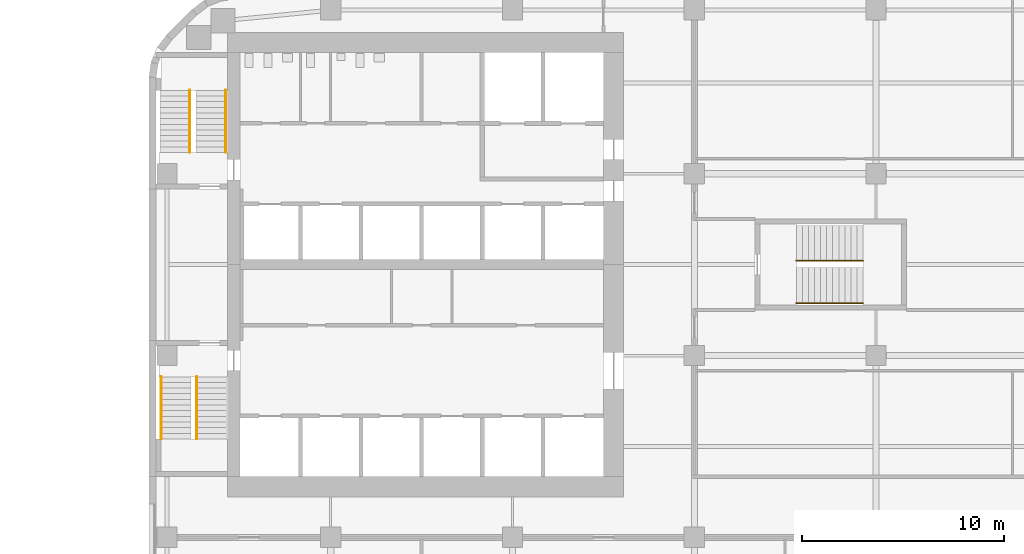
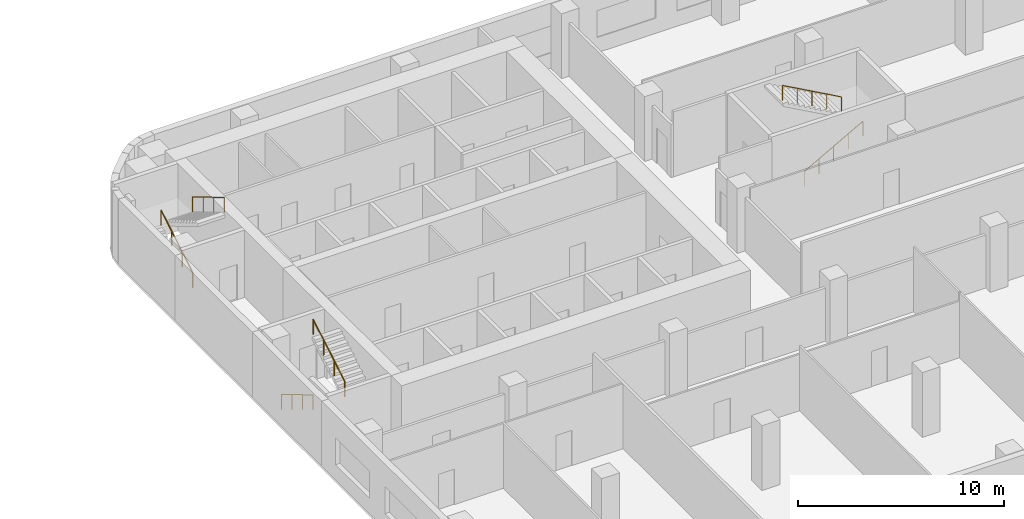
# One storey, part 15 of 16: 6 railings, 3 elements without a shape of their own.
"""IFC4 building model written with IfcOpenShell, lengths in metres."""

from ifc_helpers import new_model, si_unit, direction, frame, origin, origin_2d, place, context, subcontext, project, spatial, circle, extrude, material, type_object, element, aggregate, save


model = new_model("IFC4")

# Units and contexts
model_context = context("Model", 3, precision=1e-05, world=origin(), true_north=direction((0.0, 1.0)))
body_context = subcontext(model_context, "Body", "Model", "MODEL_VIEW")
ifc_project = project(units=[si_unit("LENGTHUNIT", "METRE"), si_unit("AREAUNIT", "SQUARE_METRE"), si_unit("VOLUMEUNIT", "CUBIC_METRE"), si_unit("PLANEANGLEUNIT", "RADIAN"), si_unit("MASSUNIT", "GRAM", prefix="KILO")], contexts=[model_context])

# Site, building, storey
site_placement = place(None, origin())
site = spatial("IfcSite", under=ifc_project, at=site_placement, CompositionType="ELEMENT")
building_placement = place(site_placement, origin())
building = spatial("IfcBuilding", under=site, at=building_placement, Name="Cinnabar Reach Civic Tower", CompositionType="ELEMENT")
storey_placement = place(building_placement, frame((0.0, 0.0, 30.0)))
storey = spatial("IfcBuildingStorey", under=building, at=storey_placement, Name="L06", CompositionType="ELEMENT", Elevation=30.0)

# Stair, railings
ifc_material_1 = material(Name="Concrete C40/50", Category="concrete")
stair_type = type_object("IfcStairType", Name="T1 Exit stair, half-turn", PredefinedType="HALF_TURN_STAIR", material=ifc_material_1)
stair_1_placement = place(storey_placement, origin())
stair_1 = element("IfcStair", 1, at=stair_1_placement, inside=storey, type_object=stair_type, Name="Stair T1-S1", PredefinedType="HALF_TURN_STAIR")
ifc_material_2 = material(Name="Stainless steel tube", Category="steel")
railing_type = type_object("IfcRailingType", Name="T1 Stair handrail, stainless tube 48", PredefinedType="HANDRAIL", material=ifc_material_2)
railing_1_placement = place(storey_placement, frame((0.6, 25.95, 0.1667)))
railing_1 = element("IfcRailing", 2, at=railing_1_placement, type_object=railing_type, Name="T1-S1 handrail 1", PredefinedType="HANDRAIL", context=body_context, shape_type="SweptSolid", body=[
    extrude(circle(Radius=0.024, at=origin_2d()), frame((0.0, 0.0, 0.876), z_axis=(0.0, -0.859296971757, 0.511476992962), x_axis=(1.0, 0.0, 0.0)), (0.0, 0.0, 1.0), 3.5843),
    extrude(circle(Radius=0.021, at=origin_2d()), origin(), (0.0, 0.0, 1.0), 0.852),
    extrude(circle(Radius=0.021, at=origin_2d()), frame((0.0, -1.0267, 0.6111)), (0.0, 0.0, 1.0), 0.852),
    extrude(circle(Radius=0.021, at=origin_2d()), frame((0.0, -2.0533, 1.2222)), (0.0, 0.0, 1.0), 0.852),
    extrude(circle(Radius=0.021, at=origin_2d()), frame((0.0, -3.08, 1.8333)), (0.0, 0.0, 1.0), 0.852),
])
railing_2_placement = place(storey_placement, frame((2.375, 22.87, 2.1667)))
railing_2 = element("IfcRailing", 3, at=railing_2_placement, type_object=railing_type, Name="T1-S1 handrail 2", PredefinedType="HANDRAIL", context=body_context, shape_type="SweptSolid", body=[
    extrude(circle(Radius=0.024, at=origin_2d()), frame((0.0, 0.0, 0.876), z_axis=(0.0, 0.859296971757, 0.511476992962), x_axis=(-1.0, 0.0, 0.0)), (0.0, 0.0, 1.0), 3.5843),
    extrude(circle(Radius=0.021, at=origin_2d()), origin(), (0.0, 0.0, 1.0), 0.852),
    extrude(circle(Radius=0.021, at=origin_2d()), frame((0.0, 1.0267, 0.6111)), (0.0, 0.0, 1.0), 0.852),
    extrude(circle(Radius=0.021, at=origin_2d()), frame((0.0, 2.0533, 1.2222)), (0.0, 0.0, 1.0), 0.852),
    extrude(circle(Radius=0.021, at=origin_2d()), frame((0.0, 3.08, 1.8333)), (0.0, 0.0, 1.0), 0.852),
])
aggregate(stair_1, [railing_1, railing_2])

stair_2_placement = place(storey_placement, origin())
stair_2 = element("IfcStair", 4, at=stair_2_placement, inside=storey, type_object=stair_type, Name="Stair T1-S2", PredefinedType="HALF_TURN_STAIR")
railing_3_placement = place(storey_placement, frame((2.025, 37.05, 0.1667)))
railing_3 = element("IfcRailing", 5, at=railing_3_placement, type_object=railing_type, Name="T1-S2 handrail 1", PredefinedType="HANDRAIL", context=body_context, shape_type="SweptSolid", body=[
    extrude(circle(Radius=0.024, at=origin_2d()), frame((0.0, 0.0, 0.876), z_axis=(0.0, 0.859296971757, 0.511476992962), x_axis=(-1.0, 0.0, 0.0)), (0.0, 0.0, 1.0), 3.5843),
    extrude(circle(Radius=0.021, at=origin_2d()), origin(), (0.0, 0.0, 1.0), 0.852),
    extrude(circle(Radius=0.021, at=origin_2d()), frame((0.0, 1.0267, 0.6111)), (0.0, 0.0, 1.0), 0.852),
    extrude(circle(Radius=0.021, at=origin_2d()), frame((0.0, 2.0533, 1.2222)), (0.0, 0.0, 1.0), 0.852),
    extrude(circle(Radius=0.021, at=origin_2d()), frame((0.0, 3.08, 1.8333)), (0.0, 0.0, 1.0), 0.852),
])
railing_4_placement = place(storey_placement, frame((3.8, 40.13, 2.1667)))
railing_4 = element("IfcRailing", 6, at=railing_4_placement, type_object=railing_type, Name="T1-S2 handrail 2", PredefinedType="HANDRAIL", context=body_context, shape_type="SweptSolid", body=[
    extrude(circle(Radius=0.024, at=origin_2d()), frame((0.0, 0.0, 0.876), z_axis=(0.0, -0.859296971757, 0.511476992962), x_axis=(1.0, 0.0, 0.0)), (0.0, 0.0, 1.0), 3.5843),
    extrude(circle(Radius=0.021, at=origin_2d()), origin(), (0.0, 0.0, 1.0), 0.852),
    extrude(circle(Radius=0.021, at=origin_2d()), frame((0.0, -1.0267, 0.6111)), (0.0, 0.0, 1.0), 0.852),
    extrude(circle(Radius=0.021, at=origin_2d()), frame((0.0, -2.0533, 1.2222)), (0.0, 0.0, 1.0), 0.852),
    extrude(circle(Radius=0.021, at=origin_2d()), frame((0.0, -3.08, 1.8333)), (0.0, 0.0, 1.0), 0.852),
])
aggregate(stair_2, [railing_3, railing_4])

stair_3_placement = place(storey_placement, origin())
stair_3 = element("IfcStair", 7, at=stair_3_placement, inside=storey, type_object=stair_type, Name="Stair T1-S3", PredefinedType="HALF_TURN_STAIR")
railing_5_placement = place(storey_placement, frame((32.05, 29.6, 0.1667)))
railing_5 = element("IfcRailing", 8, at=railing_5_placement, type_object=railing_type, Name="T1-S3 handrail 1", PredefinedType="HANDRAIL", context=body_context, shape_type="SweptSolid", body=[
    extrude(circle(Radius=0.024, at=origin_2d()), frame((0.0, 0.0, 0.876), z_axis=(0.874161024642, 0.0, 0.485636183781), x_axis=(0.0, 1.0, 0.0)), (0.0, 0.0, 1.0), 3.775),
    extrude(circle(Radius=0.021, at=origin_2d()), origin(), (0.0, 0.0, 1.0), 0.852),
    extrude(circle(Radius=0.021, at=origin_2d()), frame((0.825, 0.0, 0.4583)), (0.0, 0.0, 1.0), 0.852),
    extrude(circle(Radius=0.021, at=origin_2d()), frame((1.65, 0.0, 0.9167)), (0.0, 0.0, 1.0), 0.852),
    extrude(circle(Radius=0.021, at=origin_2d()), frame((2.475, 0.0, 1.375)), (0.0, 0.0, 1.0), 0.852),
    extrude(circle(Radius=0.021, at=origin_2d()), frame((3.3, 0.0, 1.8333)), (0.0, 0.0, 1.0), 0.852),
])
railing_6_placement = place(storey_placement, frame((35.35, 31.7, 2.1667)))
railing_6 = element("IfcRailing", 9, at=railing_6_placement, type_object=railing_type, Name="T1-S3 handrail 2", PredefinedType="HANDRAIL", context=body_context, shape_type="SweptSolid", body=[
    extrude(circle(Radius=0.024, at=origin_2d()), frame((0.0, 0.0, 0.876), z_axis=(-0.874161024642, 0.0, 0.485636183781), x_axis=(0.0, -1.0, 0.0)), (0.0, 0.0, 1.0), 3.775),
    extrude(circle(Radius=0.021, at=origin_2d()), origin(), (0.0, 0.0, 1.0), 0.852),
    extrude(circle(Radius=0.021, at=origin_2d()), frame((-0.825, 0.0, 0.4583)), (0.0, 0.0, 1.0), 0.852),
    extrude(circle(Radius=0.021, at=origin_2d()), frame((-1.65, 0.0, 0.9167)), (0.0, 0.0, 1.0), 0.852),
    extrude(circle(Radius=0.021, at=origin_2d()), frame((-2.475, 0.0, 1.375)), (0.0, 0.0, 1.0), 0.852),
    extrude(circle(Radius=0.021, at=origin_2d()), frame((-3.3, 0.0, 1.8333)), (0.0, 0.0, 1.0), 0.852),
])
aggregate(stair_3, [railing_5, railing_6])

save(model, "model.ifc")
